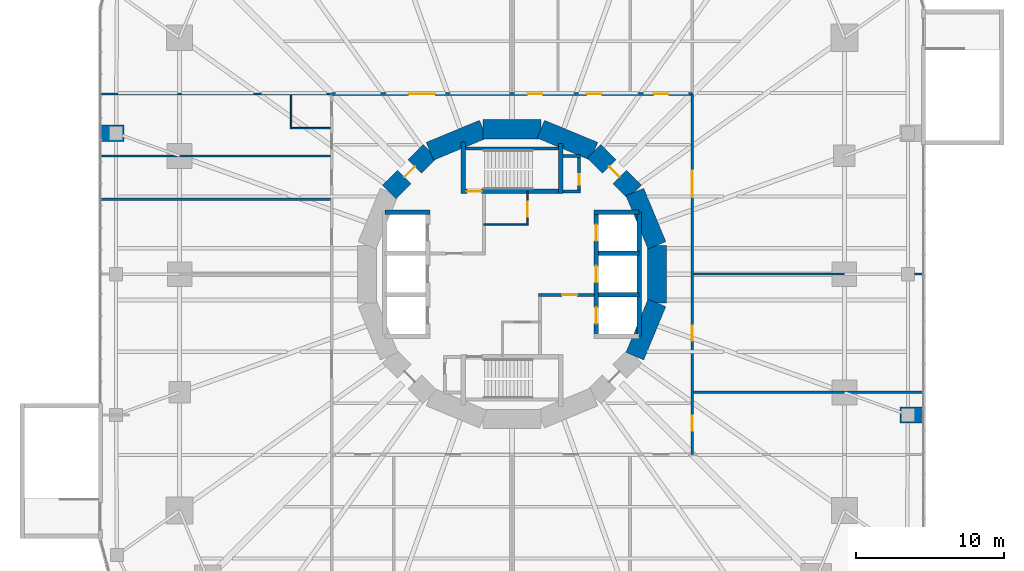
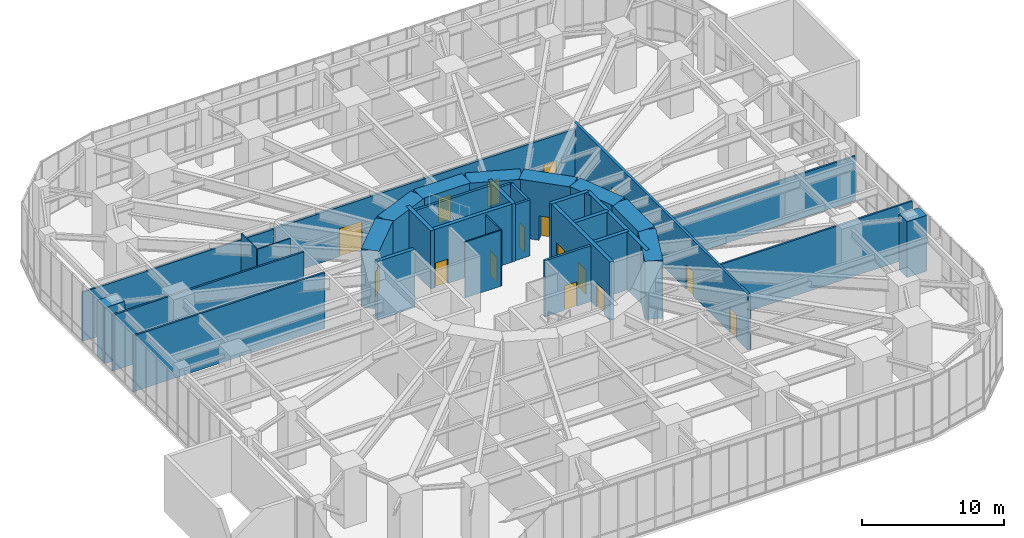
# One storey, part 22 of 24: 35 walls, 16 doors, 16 openings.
"""IFC4 building model written with IfcOpenShell, lengths in metres."""

import ifcopenshell
import ifcopenshell.guid

model = None  # the IFC model being written
_history = None  # IfcOwnerHistory: only IFC2X3 demands one
_inside = {}  # id of a spatial element -> (the spatial element, [elements in it])
_under = {}  # id of a project, library or spatial element -> (it, [spatial elements below it])
_declared = {}  # id of a project -> (the project, [libraries it declares])
_typed = {}  # id of a type object -> (the type object, [elements of that type])
_made_of = {}  # id of a material, layer set ... -> (it, [elements and type objects made of it])


def new_model(schema):
    """Start an empty IFC model of exactly this schema.

    Asked for "IFC4X3", IfcOpenShell would pick the latest addendum, in which some entities
    have other attributes; the version numbers below select the first issue.
    IFC2X3 requires an IfcOwnerHistory on every rooted entity: one is made here for all.
    """
    global model, _history
    if schema == "IFC4X3":
        model = ifcopenshell.file(schema_version=(4, 3, 0, 0))
    else:
        model = ifcopenshell.file(schema=schema)
    _inside.clear()
    _under.clear()
    _declared.clear()
    _typed.clear()
    _made_of.clear()
    _history = None
    if model.schema == "IFC2X3":
        org = make("IfcOrganization", Name="unknown")
        user = make(
            "IfcPersonAndOrganization",
            ThePerson=make("IfcPerson", FamilyName="unknown"),
            TheOrganization=org,
        )
        app = make(
            "IfcApplication",
            ApplicationDeveloper=org,
            Version="unknown",
            ApplicationFullName="unknown",
            ApplicationIdentifier="unknown",
        )
        _history = make(
            "IfcOwnerHistory",
            OwningUser=user,
            OwningApplication=app,
            ChangeAction="ADDED",
            CreationDate=0,
        )
    return model


def make(cls, **values):
    """One entity of the class cls with the attributes given. An attribute that is None is left unset."""
    return model.create_entity(
        cls, **{name: value for name, value in values.items() if value is not None}
    )


def rooted(cls, **values):
    """An entity with a GlobalId (a new one), such as an element, a storey or a relation."""
    return make(cls, GlobalId=ifcopenshell.guid.new(), OwnerHistory=_history, **values)


def si_unit(unit_type, name, prefix=None):
    """IfcSIUnit, for example si_unit("LENGTHUNIT", "METRE", prefix="MILLI")."""
    return make("IfcSIUnit", UnitType=unit_type, Prefix=prefix, Name=name)


def assignment(units):
    """IfcUnitAssignment: the units of a project."""
    return None if units is None else make("IfcUnitAssignment", Units=units)


def point(xyz):
    """IfcCartesianPoint."""
    return None if xyz is None else make("IfcCartesianPoint", Coordinates=xyz)


def direction(xyz):
    """IfcDirection."""
    return None if xyz is None else make("IfcDirection", DirectionRatios=xyz)


def frame(location, z_axis=None, x_axis=None):
    """IfcAxis2Placement3D, a coordinate frame: its origin and axes. An axis left out is left unset."""
    return make(
        "IfcAxis2Placement3D",
        Location=point(location),
        Axis=direction(z_axis),
        RefDirection=direction(x_axis),
    )


def frame_2d(location, x_axis=None):
    """IfcAxis2Placement2D, a coordinate frame in the plane: its origin and x axis."""
    return make(
        "IfcAxis2Placement2D", Location=point(location), RefDirection=direction(x_axis)
    )


def origin():
    """The frame at (0, 0, 0) with its axes left unset."""
    return frame((0.0, 0.0, 0.0))


def place(relative_to, where):
    """IfcLocalPlacement: puts the frame where relative to a parent placement (None: the world)."""
    return make(
        "IfcLocalPlacement", PlacementRelTo=relative_to, RelativePlacement=where
    )


def context(
    kind, dimensions, precision=None, world=None, true_north=None, identifier=None
):
    """IfcGeometricRepresentationContext, for example the 3D "Model" context."""
    return make(
        "IfcGeometricRepresentationContext",
        ContextIdentifier=identifier,
        ContextType=kind,
        CoordinateSpaceDimension=dimensions,
        Precision=precision,
        WorldCoordinateSystem=world,
        TrueNorth=true_north,
    )


def subcontext(parent, identifier, kind, view, scale=None):
    """IfcGeometricRepresentationSubContext, for example "Body" below "Model"."""
    return make(
        "IfcGeometricRepresentationSubContext",
        ContextIdentifier=identifier,
        ContextType=kind,
        ParentContext=parent,
        TargetScale=scale,
        TargetView=view,
    )


def project(units=None, contexts=None):
    """IfcProject with its units and contexts."""
    return rooted(
        "IfcProject",
        Name="project",
        RepresentationContexts=contexts,
        UnitsInContext=assignment(units),
    )


def spatial(cls, under=None, at=None, **own):
    """A site, building, storey or space (cls), placed at a placement, below another one or the project."""
    s = rooted(cls, ObjectPlacement=at, **own)
    if under is not None:
        _under.setdefault(under.id(), (under, []))[1].append(s)
    return s


def profile(cls, at=None, kind="AREA", **sizes):
    """A parametric profile (cls). Its sizes go by their IFC names, for example OverallWidth=200.0."""
    return make(cls, ProfileType=kind, Position=at, **sizes)


def rectangle(**sizes):
    """IfcRectangleProfileDef."""
    return profile("IfcRectangleProfileDef", **sizes)


def extrude(swept, where, along, depth):
    """IfcExtrudedAreaSolid: the profile swept, set in the frame where, extruded along a direction by depth."""
    return make(
        "IfcExtrudedAreaSolid",
        SweptArea=swept,
        Position=where,
        ExtrudedDirection=direction(along),
        Depth=depth,
    )


def shape(context_of_items, identifier, shape_type, items):
    """IfcShapeRepresentation: the items that make up one representation, for example the "Body"."""
    return make(
        "IfcShapeRepresentation",
        ContextOfItems=context_of_items,
        RepresentationIdentifier=identifier,
        RepresentationType=shape_type,
        Items=items,
    )


def material(Name=None, Category=None):
    """IfcMaterial."""
    return make("IfcMaterial", Name=Name, Category=Category)


def layer(
    of_material, thickness, ventilated=None, Name=None, Category=None, Priority=None
):
    """IfcMaterialLayer: one layer of a wall or slab, of a material (None: an air gap)."""
    return make(
        "IfcMaterialLayer",
        Material=of_material,
        LayerThickness=thickness,
        IsVentilated=ventilated,
        Name=Name,
        Category=Category,
        Priority=Priority,
    )


def layer_set(layers, Name=None):
    """IfcMaterialLayerSet."""
    return make("IfcMaterialLayerSet", MaterialLayers=layers, LayerSetName=Name)


def made_of(thing, what):
    """Note that an element or type object is made of a material, layer set ...; save() writes the relation."""
    if what is not None:
        _made_of.setdefault(what.id(), (what, []))[1].append(thing)
    return thing


def type_object(cls, material=None, **own):
    """A type object (cls), such as IfcWallType, which elements share."""
    return made_of(rooted(cls, **own), material)


def element(
    cls,
    number,
    at=None,
    inside=None,
    cuts=None,
    type_object=None,
    material=None,
    context=None,
    identifier="Body",
    shape_type=None,
    held_by="IfcProductDefinitionShape",
    body=None,
    shapes=None,
    **own,
):
    """One element of the class cls, such as IfcWall. Its Tag is "e" and its number.

    at: its placement. inside: the storey or other place that contains it. cuts: it is an
    opening in that element (IfcRelVoidsElement). A single representation is given by context,
    identifier, shape_type and body (its items); several are given by shapes. held_by: the class
    of the entity that holds the representations. save() writes the other relations.
    """
    e = rooted(cls, Tag="e%d" % number, ObjectPlacement=at, **own)
    if body is not None:
        shapes = [shape(context, identifier, shape_type, body)]
    if shapes is not None:
        e.Representation = make(held_by, Representations=shapes)
    if inside is not None:
        _inside.setdefault(inside.id(), (inside, []))[1].append(e)
    if cuts is not None:
        rooted(
            "IfcRelVoidsElement", RelatingBuildingElement=cuts, RelatedOpeningElement=e
        )
    if type_object is not None:
        _typed.setdefault(type_object.id(), (type_object, []))[1].append(e)
    return made_of(e, material)


def fill(opening, filler):
    """IfcRelFillsElement: the door or window that sits in an opening."""
    return rooted(
        "IfcRelFillsElement",
        RelatingOpeningElement=opening,
        RelatedBuildingElement=filler,
    )


def aggregate(whole, parts):
    """IfcRelAggregates: a whole, such as a stair, and the parts it consists of."""
    return rooted("IfcRelAggregates", RelatingObject=whole, RelatedObjects=parts)


def save(model, path):
    """Write the relations noted so far, then the file.

    IfcRelAggregates (storeys below a building ...), IfcRelContainedInSpatialStructure (elements
    in a storey), IfcRelDefinesByType, IfcRelAssociatesMaterial and IfcRelDeclares: one each for
    every whole, place, type object, material and project.
    """
    for whole, parts in _under.values():
        aggregate(whole, parts)
    for where, things in _inside.values():
        rooted(
            "IfcRelContainedInSpatialStructure",
            RelatedElements=things,
            RelatingStructure=where,
        )
    for kind, things in _typed.values():
        rooted("IfcRelDefinesByType", RelatedObjects=things, RelatingType=kind)
    for what, things in _made_of.values():
        rooted("IfcRelAssociatesMaterial", RelatedObjects=things, RelatingMaterial=what)
    for by, libraries in _declared.values():
        rooted("IfcRelDeclares", RelatingContext=by, RelatedDefinitions=libraries)
    model.write(path)


model = new_model("IFC4")

# Units and contexts
model_context = context("Model", 3, precision=1e-05, world=origin(), true_north=direction((0.0, 1.0)))
body_context = subcontext(model_context, "Body", "Model", "MODEL_VIEW")
ifc_project = project(units=[si_unit("LENGTHUNIT", "METRE"), si_unit("AREAUNIT", "SQUARE_METRE"), si_unit("VOLUMEUNIT", "CUBIC_METRE"), si_unit("PLANEANGLEUNIT", "RADIAN"), si_unit("MASSUNIT", "GRAM", prefix="KILO")], contexts=[model_context])

# Site, building, storey
site_placement = place(None, origin())
site = spatial("IfcSite", under=ifc_project, at=site_placement, CompositionType="ELEMENT")
building_placement = place(site_placement, origin())
building = spatial("IfcBuilding", under=site, at=building_placement, Name="Nakasero Lantern House", CompositionType="ELEMENT")
storey_placement = place(building_placement, frame((0.0, 0.0, 11.0)))
storey = spatial("IfcBuildingStorey", under=building, at=storey_placement, Name="L02", CompositionType="ELEMENT", Elevation=11.0)

# Walls
ifc_material_1 = material(Name="Blockwork", Category="masonry")
ifc_layer_1 = layer(ifc_material_1, 1.10009765625)
ifc_layer_set_1 = layer_set([ifc_layer_1], Name="Column pier 1100")
wall_type_1 = type_object("IfcWallType", Name="Column pier 1100", PredefinedType="PARTITIONING", material=ifc_layer_set_1)
for number, where, z_axis, x_axis, name in (
    (1, (26.25, -9.52880859375, 0.0), (0.0, 0.0, 1.0), (1.0, 0.0, 0.0), "Column pier L02 PN0-00-2"),
    (2, (-26.25, 9.52880859375, 0.0), (0.0, 0.0, 1.0), (-1.0, 0.0, 0.0), "Column pier L02 PN2-00-2"),
):
    element("IfcWall", number, at=place(storey_placement, frame(where, z_axis=z_axis, x_axis=x_axis)), inside=storey, type_object=wall_type_1, Name=name, PredefinedType="PARTITIONING", context=body_context, shape_type="SweptSolid", body=[
        extrude(rectangle(XDim=1.60009765625, YDim=1.10009765625, at=frame_2d((0.800048828125, 0.0))), origin(), (0.0, 0.0, 1.0), 4.800048828125),
    ])

# Wall, openings, doors
ifc_material_2 = material(Name="Concrete C50/60", Category="concrete")
ifc_layer_2 = layer(ifc_material_2, 0.300048828125)
ifc_layer_set_2 = layer_set([ifc_layer_2], Name="Core inner wall 300")
wall_type_2 = type_object("IfcWallType", Name="Core inner wall 300", PredefinedType="SHEAR", material=ifc_layer_set_2)
wall_1_placement = place(storey_placement, frame((5.699951171875, -4.199951171875, 0.0), z_axis=(0.0, 0.0, 1.0), x_axis=(0.0, 1.0, 0.0)))
wall_1 = element("IfcWall", 3, at=wall_1_placement, inside=storey, type_object=wall_type_2, Name="Core inner wall L02 LE", PredefinedType="SHEAR", context=body_context, shape_type="SweptSolid", body=[
    extrude(rectangle(XDim=8.39990234375, YDim=0.300048828125, at=frame_2d((4.199951171875, 0.0))), origin(), (0.0, 0.0, 1.0), 5.0),
])
opening_1_placement = place(wall_1_placement, frame((0.85009765625, 0.0, 0.0)))
opening_1 = element("IfcOpeningElement", 4, at=opening_1_placement, cuts=wall_1, Name="Opening LD", PredefinedType="OPENING", context=body_context, shape_type="SweptSolid", body=[
    extrude(rectangle(XDim=1.10009765625, YDim=2.10009765625, at=frame_2d((0.550048828125, 1.050048828125))), frame((0.0, 0.169921875, 0.0), z_axis=(0.0, -1.0, 0.0), x_axis=(1.0, 0.0, 0.0)), (0.0, 0.0, 1.0), 0.340087890625),
])
opening_2_placement = place(wall_1_placement, frame((3.64990234375, 0.0, 0.0)))
opening_2 = element("IfcOpeningElement", 5, at=opening_2_placement, cuts=wall_1, Name="Opening LD", PredefinedType="OPENING", context=body_context, shape_type="SweptSolid", body=[
    extrude(rectangle(XDim=1.10009765625, YDim=2.10009765625, at=frame_2d((0.550048828125, 1.050048828125))), frame((0.0, 0.169921875, 0.0), z_axis=(0.0, -1.0, 0.0), x_axis=(1.0, 0.0, 0.0)), (0.0, 0.0, 1.0), 0.340087890625),
])
opening_3_placement = place(wall_1_placement, frame((6.449951171875, 0.0, 0.0)))
opening_3 = element("IfcOpeningElement", 6, at=opening_3_placement, cuts=wall_1, Name="Opening LD", PredefinedType="OPENING", context=body_context, shape_type="SweptSolid", body=[
    extrude(rectangle(XDim=1.10009765625, YDim=2.10009765625, at=frame_2d((0.550048828125, 1.050048828125))), frame((0.0, 0.169921875, 0.0), z_axis=(0.0, -1.0, 0.0), x_axis=(1.0, 0.0, 0.0)), (0.0, 0.0, 1.0), 0.340087890625),
])
ifc_material_3 = material(Name="Steel S355", Category="steel")
door_type_1 = type_object("IfcDoorType", Name="Lift landing door E120 1100", OperationType="SLIDING_TO_LEFT", PredefinedType="DOOR", material=ifc_material_3)
door_1_placement = place(opening_1_placement, origin())
door_1 = element("IfcDoor", 7, at=door_1_placement, inside=storey, type_object=door_type_1, Name="Lift landing door LE1", OperationType="SLIDING_TO_LEFT", OverallHeight=2.10009765625, OverallWidth=1.10009765625, PredefinedType="DOOR", context=body_context, shape_type="SweptSolid", body=[
    extrude(rectangle(XDim=1.10009765625, YDim=2.10009765625, at=frame_2d((0.550048828125, 1.050048828125))), frame((0.0, 0.02490234375, 0.0), z_axis=(0.0, -1.0, 0.0), x_axis=(1.0, 0.0, 0.0)), (0.0, 0.0, 1.0), 0.050048828125),
])
fill(opening_1, door_1)
door_2_placement = place(opening_2_placement, origin())
door_2 = element("IfcDoor", 8, at=door_2_placement, inside=storey, type_object=door_type_1, Name="Lift landing door LE2", OperationType="SLIDING_TO_LEFT", OverallHeight=2.10009765625, OverallWidth=1.10009765625, PredefinedType="DOOR", context=body_context, shape_type="SweptSolid", body=[
    extrude(rectangle(XDim=1.10009765625, YDim=2.10009765625, at=frame_2d((0.550048828125, 1.050048828125))), frame((0.0, 0.02490234375, 0.0), z_axis=(0.0, -1.0, 0.0), x_axis=(1.0, 0.0, 0.0)), (0.0, 0.0, 1.0), 0.050048828125),
])
fill(opening_2, door_2)
door_3_placement = place(opening_3_placement, origin())
door_3 = element("IfcDoor", 9, at=door_3_placement, inside=storey, type_object=door_type_1, Name="Lift landing door LE3", OperationType="SLIDING_TO_LEFT", OverallHeight=2.10009765625, OverallWidth=1.10009765625, PredefinedType="DOOR", context=body_context, shape_type="SweptSolid", body=[
    extrude(rectangle(XDim=1.10009765625, YDim=2.10009765625, at=frame_2d((0.550048828125, 1.050048828125))), frame((0.0, 0.02490234375, 0.0), z_axis=(0.0, -1.0, 0.0), x_axis=(1.0, 0.0, 0.0)), (0.0, 0.0, 1.0), 0.050048828125),
])
fill(opening_3, door_3)

# Walls
for number, where, z_axis, x_axis, name in (
    (10, (-8.60009765625, 4.199951171875, 0.0), (0.0, 0.0, 1.0), (1.0, 0.0, 0.0), "Core inner wall L02 LWN"),
    (11, (5.550048828125, 4.199951171875, 0.0), (0.0, 0.0, 1.0), (1.0, 0.0, 0.0), "Core inner wall L02 LEN"),
):
    element("IfcWall", number, at=place(storey_placement, frame(where, z_axis=z_axis, x_axis=x_axis)), inside=storey, type_object=wall_type_2, Name=name, PredefinedType="SHEAR", context=body_context, shape_type="SweptSolid", body=[
        extrude(rectangle(XDim=3.050048828125, YDim=0.300048828125, at=frame_2d((1.52490234375, 0.0))), origin(), (0.0, 0.0, 1.0), 5.0),
    ])
wall_2_placement = place(storey_placement, frame((8.60009765625, -4.199951171875, 0.0), z_axis=(0.0, 0.0, 1.0), x_axis=(0.0, 1.0, 0.0)))
element("IfcWall", 12, at=wall_2_placement, inside=storey, type_object=wall_type_2, Name="Core inner wall L02 LEB", PredefinedType="SHEAR", context=body_context, shape_type="SweptSolid", body=[
    extrude(rectangle(XDim=8.39990234375, YDim=0.300048828125, at=frame_2d((4.199951171875, 0.0))), origin(), (0.0, 0.0, 1.0), 5.0),
])
for number, where, z_axis, x_axis, name in (
    (13, (5.85009765625, -1.39990234375, 0.0), (0.0, 0.0, 1.0), (1.0, 0.0, 0.0), "Core inner wall L02 LE1"),
    (14, (5.85009765625, 1.39990234375, 0.0), (0.0, 0.0, 1.0), (1.0, 0.0, 0.0), "Core inner wall L02 LE2"),
):
    element("IfcWall", number, at=place(storey_placement, frame(where, z_axis=z_axis, x_axis=x_axis)), inside=storey, type_object=wall_type_2, Name=name, PredefinedType="SHEAR", context=body_context, shape_type="SweptSolid", body=[
        extrude(rectangle(XDim=2.75, YDim=0.300048828125, at=frame_2d((1.375, 0.0))), origin(), (0.0, 0.0, 1.0), 5.0),
    ])

# Wall, opening, door
wall_3_placement = place(storey_placement, frame((-3.449951171875, 5.60009765625, 0.0), z_axis=(0.0, 0.0, 1.0), x_axis=(1.0, 0.0, 0.0)))
wall_3 = element("IfcWall", 15, at=wall_3_placement, inside=storey, type_object=wall_type_2, Name="Core inner wall L02 SN", PredefinedType="SHEAR", context=body_context, shape_type="SweptSolid", body=[
    extrude(rectangle(XDim=6.89990234375, YDim=0.300048828125, at=frame_2d((3.449951171875, 0.0))), origin(), (0.0, 0.0, 1.0), 5.0),
])
opening_4_placement = place(wall_3_placement, frame((0.39990234375, 0.0, 0.0)))
opening_4 = element("IfcOpeningElement", 16, at=opening_4_placement, cuts=wall_3, Name="Opening D05", PredefinedType="OPENING", context=body_context, shape_type="SweptSolid", body=[
    extrude(rectangle(XDim=1.0, YDim=2.10009765625, at=frame_2d((0.5, 1.050048828125))), frame((0.0, 0.169921875, 0.0), z_axis=(0.0, -1.0, 0.0), x_axis=(1.0, 0.0, 0.0)), (0.0, 0.0, 1.0), 0.340087890625),
])
ifc_material_4 = material(Name="Timber C24", Category="wood")
door_type_2 = type_object("IfcDoorType", Name="Core door FD60S 1000", OperationType="SINGLE_SWING_LEFT", PredefinedType="DOOR", material=ifc_material_4)
door_4_placement = place(opening_4_placement, origin())
door_4 = element("IfcDoor", 17, at=door_4_placement, inside=storey, type_object=door_type_2, Name="Door L02 D-ST1", OperationType="SINGLE_SWING_LEFT", OverallHeight=2.10009765625, OverallWidth=1.0, PredefinedType="DOOR", context=body_context, shape_type="SweptSolid", body=[
    extrude(rectangle(XDim=1.0, YDim=2.10009765625, at=frame_2d((0.5, 1.050048828125))), frame((0.0, 0.02490234375, 0.0), z_axis=(0.0, -1.0, 0.0), x_axis=(1.0, 0.0, 0.0)), (0.0, 0.0, 1.0), 0.050048828125),
])
fill(opening_4, door_4)

# Walls
wall_4_placement = place(storey_placement, frame((-3.300048828125, 5.449951171875, 0.0), z_axis=(0.0, 0.0, 1.0), x_axis=(0.0, 1.0, 0.0)))
element("IfcWall", 18, at=wall_4_placement, inside=storey, type_object=wall_type_2, Name="Core inner wall L02 SNW", PredefinedType="SHEAR", context=body_context, shape_type="SweptSolid", body=[
    extrude(rectangle(XDim=3.5, YDim=0.300048828125, at=frame_2d((1.75, 0.0))), origin(), (0.0, 0.0, 1.0), 5.0),
])
wall_5_placement = place(storey_placement, frame((3.300048828125, 5.449951171875, 0.0), z_axis=(0.0, 0.0, 1.0), x_axis=(0.0, 1.0, 0.0)))
element("IfcWall", 19, at=wall_5_placement, inside=storey, type_object=wall_type_2, Name="Core inner wall L02 SNE", PredefinedType="SHEAR", context=body_context, shape_type="SweptSolid", body=[
    extrude(rectangle(XDim=3.400146484375, YDim=0.300048828125, at=frame_2d((1.7001953125, 0.0))), origin(), (0.0, 0.0, 1.0), 5.0),
])
ifc_material_5 = material(Name="Blockwork", Category="masonry")
ifc_layer_3 = layer(ifc_material_5, 0.10009765625)
ifc_layer_set_3 = layer_set([ifc_layer_3], Name="Core room wall 100")
wall_type_3 = type_object("IfcWallType", Name="Core room wall 100", PredefinedType="PARTITIONING", material=ifc_layer_set_3)
wall_6_placement = place(storey_placement, frame((-1.89990234375, 3.35009765625, 0.0), z_axis=(0.0, 0.0, 1.0), x_axis=(1.0, 0.0, 0.0)))
element("IfcWall", 20, at=wall_6_placement, inside=storey, type_object=wall_type_3, Name="Core room wall L02 CR-NES", PredefinedType="PARTITIONING", context=body_context, shape_type="SweptSolid", body=[
    extrude(rectangle(XDim=3.0, YDim=0.10009765625, at=frame_2d((1.5, 0.0))), origin(), (0.0, 0.0, 1.0), 4.800048828125),
])

# Wall, opening, door
wall_7_placement = place(storey_placement, frame((1.050048828125, 3.300048828125, 0.0), z_axis=(0.0, 0.0, 1.0), x_axis=(0.0, 1.0, 0.0)))
wall_7 = element("IfcWall", 21, at=wall_7_placement, inside=storey, type_object=wall_type_3, Name="Core room wall L02 CR-NEE", PredefinedType="PARTITIONING", context=body_context, shape_type="SweptSolid", body=[
    extrude(rectangle(XDim=2.300048828125, YDim=0.10009765625, at=frame_2d((1.14990234375, 0.0))), origin(), (0.0, 0.0, 1.0), 4.800048828125),
])
opening_5_placement = place(wall_7_placement, frame((0.60009765625, 0.0, 0.0)))
opening_5 = element("IfcOpeningElement", 22, at=opening_5_placement, cuts=wall_7, Name="Opening D13", PredefinedType="OPENING", context=body_context, shape_type="SweptSolid", body=[
    extrude(rectangle(XDim=1.0, YDim=2.10009765625, at=frame_2d((0.5, 1.050048828125))), frame((0.0, 0.070068359375, 0.0), z_axis=(0.0, -1.0, 0.0), x_axis=(1.0, 0.0, 0.0)), (0.0, 0.0, 1.0), 0.14013671875),
])
ifc_material_6 = material(Name="Steel S355", Category="steel")
door_type_3 = type_object("IfcDoorType", Name="Plant room door FD60 1000", OperationType="SINGLE_SWING_LEFT", PredefinedType="DOOR", material=ifc_material_6)
door_5_placement = place(opening_5_placement, origin())
door_5 = element("IfcDoor", 23, at=door_5_placement, inside=storey, type_object=door_type_3, Name="Door L02 D-CR-NE", OperationType="SINGLE_SWING_LEFT", OverallHeight=2.10009765625, OverallWidth=1.0, PredefinedType="DOOR", context=body_context, shape_type="SweptSolid", body=[
    extrude(rectangle(XDim=1.0, YDim=2.10009765625, at=frame_2d((0.5, 1.050048828125))), frame((0.0, 0.02490234375, 0.0), z_axis=(0.0, -1.0, 0.0), x_axis=(1.0, 0.0, 0.0)), (0.0, 0.0, 1.0), 0.050048828125),
])
fill(opening_5, door_5)

# Wall
ifc_material_7 = material(Name="Concrete C50/60", Category="concrete")
ifc_layer_4 = layer(ifc_material_7, 1.300048828125)
ifc_layer_set_4 = layer_set([ifc_layer_4], Name="Core wall 1300")
wall_type_4 = type_object("IfcWallType", Name="Core wall 1300", PredefinedType="SHEAR", material=ifc_layer_set_4)
wall_8_placement = place(storey_placement, frame((9.807861328125, 1.950927734375, 0.0), z_axis=(0.0, 0.0, 1.0), x_axis=(-0.382690736062, 0.923876507187, 0.0)))
element("IfcWall", 24, at=wall_8_placement, inside=storey, type_object=wall_type_4, Name="Core wall L02 facet 1", PredefinedType="SHEAR", context=body_context, shape_type="SweptSolid", body=[
    extrude(rectangle(XDim=3.90185546875, YDim=1.300048828125, at=frame_2d((1.950927734375, 0.0))), origin(), (0.0, 0.0, 1.0), 5.0),
])

# Wall, opening, door
wall_9_placement = place(storey_placement, frame((8.314697265625, 5.5556640625, 0.0), z_axis=(0.0, 0.0, 1.0), x_axis=(-0.707106781187, 0.707106781187, 0.0)))
wall_9 = element("IfcWall", 25, at=wall_9_placement, inside=storey, type_object=wall_type_4, Name="Core wall L02 facet 2", PredefinedType="SHEAR", context=body_context, shape_type="SweptSolid", body=[
    extrude(rectangle(XDim=3.90185546875, YDim=1.300048828125, at=frame_2d((1.950927734375, 0.0))), origin(), (0.0, 0.0, 1.0), 5.0),
])
opening_6_placement = place(wall_9_placement, frame((1.450927734375, 0.0, 0.0)))
opening_6 = element("IfcOpeningElement", 26, at=opening_6_placement, cuts=wall_9, Name="Opening D05", PredefinedType="OPENING", context=body_context, shape_type="SweptSolid", body=[
    extrude(rectangle(XDim=1.0, YDim=2.10009765625, at=frame_2d((0.5, 1.050048828125))), frame((0.0, 0.669921875, 0.0), z_axis=(0.0, -1.0, 0.0), x_axis=(1.0, 0.0, 0.0)), (0.0, 0.0, 1.0), 1.340087890625),
])
door_6_placement = place(opening_6_placement, origin())
door_6 = element("IfcDoor", 27, at=door_6_placement, inside=storey, type_object=door_type_2, Name="Door L02 D-CORE02", OperationType="SINGLE_SWING_LEFT", OverallHeight=2.10009765625, OverallWidth=1.0, PredefinedType="DOOR", context=body_context, shape_type="SweptSolid", body=[
    extrude(rectangle(XDim=1.0, YDim=2.10009765625, at=frame_2d((0.5, 1.050048828125))), frame((0.0, 0.02490234375, 0.0), z_axis=(0.0, -1.0, 0.0), x_axis=(1.0, 0.0, 0.0)), (0.0, 0.0, 1.0), 0.050048828125),
])
fill(opening_6, door_6)

# Walls
for number, where, z_axis, x_axis, name in (
    (28, (5.5556640625, 8.314697265625, 0.0), (0.0, 0.0, 1.0), (-0.923876507187, 0.382690736062, 0.0), "Core wall L02 facet 3"),
    (29, (1.950927734375, 9.807861328125, 0.0), (0.0, 0.0, 1.0), (-1.0, 0.0, 0.0), "Core wall L02 facet 4"),
    (30, (-1.950927734375, 9.807861328125, 0.0), (0.0, 0.0, 1.0), (-0.923876507187, -0.382690736062, 0.0), "Core wall L02 facet 5"),
):
    element("IfcWall", number, at=place(storey_placement, frame(where, z_axis=z_axis, x_axis=x_axis)), inside=storey, type_object=wall_type_4, Name=name, PredefinedType="SHEAR", context=body_context, shape_type="SweptSolid", body=[
        extrude(rectangle(XDim=3.90185546875, YDim=1.300048828125, at=frame_2d((1.950927734375, 0.0))), origin(), (0.0, 0.0, 1.0), 5.0),
    ])

# Wall, opening, door
wall_10_placement = place(storey_placement, frame((-5.5556640625, 8.314697265625, 0.0), z_axis=(0.0, 0.0, 1.0), x_axis=(-0.707106781187, -0.707106781187, 0.0)))
wall_10 = element("IfcWall", 31, at=wall_10_placement, inside=storey, type_object=wall_type_4, Name="Core wall L02 facet 6", PredefinedType="SHEAR", context=body_context, shape_type="SweptSolid", body=[
    extrude(rectangle(XDim=3.90185546875, YDim=1.300048828125, at=frame_2d((1.950927734375, 0.0))), origin(), (0.0, 0.0, 1.0), 5.0),
])
opening_7_placement = place(wall_10_placement, frame((1.450927734375, 0.0, 0.0)))
opening_7 = element("IfcOpeningElement", 32, at=opening_7_placement, cuts=wall_10, Name="Opening D05", PredefinedType="OPENING", context=body_context, shape_type="SweptSolid", body=[
    extrude(rectangle(XDim=1.0, YDim=2.10009765625, at=frame_2d((0.5, 1.050048828125))), frame((0.0, 0.669921875, 0.0), z_axis=(0.0, -1.0, 0.0), x_axis=(1.0, 0.0, 0.0)), (0.0, 0.0, 1.0), 1.340087890625),
])
door_7_placement = place(opening_7_placement, origin())
door_7 = element("IfcDoor", 33, at=door_7_placement, inside=storey, type_object=door_type_2, Name="Door L02 D-CORE06", OperationType="SINGLE_SWING_LEFT", OverallHeight=2.10009765625, OverallWidth=1.0, PredefinedType="DOOR", context=body_context, shape_type="SweptSolid", body=[
    extrude(rectangle(XDim=1.0, YDim=2.10009765625, at=frame_2d((0.5, 1.050048828125))), frame((0.0, 0.02490234375, 0.0), z_axis=(0.0, -1.0, 0.0), x_axis=(1.0, 0.0, 0.0)), (0.0, 0.0, 1.0), 0.050048828125),
])
fill(opening_7, door_7)

# Walls
for number, where, z_axis, x_axis, name in (
    (34, (8.314697265625, -5.5556640625, 0.0), (0.0, 0.0, 1.0), (0.382690736062, 0.923876507187, 0.0), "Core wall L02 facet 15"),
    (35, (9.807861328125, -1.950927734375, 0.0), (0.0, 0.0, 1.0), (0.0, 1.0, 0.0), "Core wall L02 facet 16"),
):
    element("IfcWall", number, at=place(storey_placement, frame(where, z_axis=z_axis, x_axis=x_axis)), inside=storey, type_object=wall_type_4, Name=name, PredefinedType="SHEAR", context=body_context, shape_type="SweptSolid", body=[
        extrude(rectangle(XDim=3.90185546875, YDim=1.300048828125, at=frame_2d((1.950927734375, 0.0))), origin(), (0.0, 0.0, 1.0), 5.0),
    ])

# Wall, openings, doors
ifc_material_8 = material(Name="Blockwork", Category="masonry")
ifc_layer_5 = layer(ifc_material_8, 0.199951171875)
ifc_layer_set_5 = layer_set([ifc_layer_5], Name="Corridor wall 200")
wall_type_5 = type_object("IfcWallType", Name="Corridor wall 200", PredefinedType="PARTITIONING", material=ifc_layer_set_5)
wall_11_placement = place(storey_placement, frame((12.199951171875, -12.199951171875, 0.0), z_axis=(0.0, 0.0, 1.0), x_axis=(0.0, 1.0, 0.0)))
wall_11 = element("IfcWall", 36, at=wall_11_placement, inside=storey, type_object=wall_type_5, Name="Corridor wall L02 CW0", PredefinedType="PARTITIONING", context=body_context, shape_type="SweptSolid", body=[
    extrude(rectangle(XDim=24.39990234375, YDim=0.199951171875, at=frame_2d((12.199951171875, 0.0))), origin(), (0.0, 0.0, 1.0), 4.800048828125),
])
opening_8_placement = place(wall_11_placement, frame((1.60009765625, 0.0, 0.0)))
opening_8 = element("IfcOpeningElement", 37, at=opening_8_placement, cuts=wall_11, Name="Opening D07", PredefinedType="OPENING", context=body_context, shape_type="SweptSolid", body=[
    extrude(rectangle(XDim=1.0, YDim=2.10009765625, at=frame_2d((0.5, 1.050048828125))), frame((0.0, 0.119873046875, 0.0), z_axis=(0.0, -1.0, 0.0), x_axis=(1.0, 0.0, 0.0)), (0.0, 0.0, 1.0), 0.239990234375),
])
opening_9_placement = place(wall_11_placement, frame((7.699951171875, 0.0, 0.0)))
opening_9 = element("IfcOpeningElement", 38, at=opening_9_placement, cuts=wall_11, Name="Opening D07", PredefinedType="OPENING", context=body_context, shape_type="SweptSolid", body=[
    extrude(rectangle(XDim=1.0, YDim=2.10009765625, at=frame_2d((0.5, 1.050048828125))), frame((0.0, 0.119873046875, 0.0), z_axis=(0.0, -1.0, 0.0), x_axis=(1.0, 0.0, 0.0)), (0.0, 0.0, 1.0), 0.239990234375),
])
opening_10_placement = place(wall_11_placement, frame((17.39990234375, 0.0, 0.0)))
opening_10 = element("IfcOpeningElement", 39, at=opening_10_placement, cuts=wall_11, Name="Opening D12", PredefinedType="OPENING", context=body_context, shape_type="SweptSolid", body=[
    extrude(rectangle(XDim=1.800048828125, YDim=2.39990234375, at=frame_2d((0.89990234375, 1.199951171875))), frame((0.0, 0.119873046875, 0.0), z_axis=(0.0, -1.0, 0.0), x_axis=(1.0, 0.0, 0.0)), (0.0, 0.0, 1.0), 0.239990234375),
])
ifc_material_9 = material(Name="Timber C24", Category="wood")
door_type_4 = type_object("IfcDoorType", Name="Room door FD30S 1000", OperationType="SINGLE_SWING_LEFT", PredefinedType="DOOR", material=ifc_material_9)
door_8_placement = place(opening_8_placement, origin())
door_8 = element("IfcDoor", 40, at=door_8_placement, inside=storey, type_object=door_type_4, Name="Door L02 D0-00", OperationType="SINGLE_SWING_LEFT", OverallHeight=2.10009765625, OverallWidth=1.0, PredefinedType="DOOR", context=body_context, shape_type="SweptSolid", body=[
    extrude(rectangle(XDim=1.0, YDim=2.10009765625, at=frame_2d((0.5, 1.050048828125))), frame((0.0, 0.02490234375, 0.0), z_axis=(0.0, -1.0, 0.0), x_axis=(1.0, 0.0, 0.0)), (0.0, 0.0, 1.0), 0.050048828125),
])
fill(opening_8, door_8)
door_9_placement = place(opening_9_placement, origin())
door_9 = element("IfcDoor", 41, at=door_9_placement, inside=storey, type_object=door_type_4, Name="Door L02 D0-01", OperationType="SINGLE_SWING_LEFT", OverallHeight=2.10009765625, OverallWidth=1.0, PredefinedType="DOOR", context=body_context, shape_type="SweptSolid", body=[
    extrude(rectangle(XDim=1.0, YDim=2.10009765625, at=frame_2d((0.5, 1.050048828125))), frame((0.0, 0.02490234375, 0.0), z_axis=(0.0, -1.0, 0.0), x_axis=(1.0, 0.0, 0.0)), (0.0, 0.0, 1.0), 0.050048828125),
])
fill(opening_9, door_9)
ifc_material_10 = material(Name="Timber C24", Category="wood")
door_type_5 = type_object("IfcDoorType", Name="Room doors FD30S 1800", OperationType="DOUBLE_DOOR_SINGLE_SWING", PredefinedType="DOOR", material=ifc_material_10)
door_10_placement = place(opening_10_placement, origin())
door_10 = element("IfcDoor", 42, at=door_10_placement, inside=storey, type_object=door_type_5, Name="Door L02 D0-02", OperationType="DOUBLE_DOOR_SINGLE_SWING", OverallHeight=2.39990234375, OverallWidth=1.800048828125, PredefinedType="DOOR", context=body_context, shape_type="SweptSolid", body=[
    extrude(rectangle(XDim=1.800048828125, YDim=2.39990234375, at=frame_2d((0.89990234375, 1.199951171875))), frame((0.0, 0.02490234375, 0.0), z_axis=(0.0, -1.0, 0.0), x_axis=(1.0, 0.0, 0.0)), (0.0, 0.0, 1.0), 0.050048828125),
])
fill(opening_10, door_10)

wall_12_placement = place(storey_placement, frame((12.199951171875, 12.199951171875, 0.0), z_axis=(0.0, 0.0, 1.0), x_axis=(-1.0, 0.0, 0.0)))
wall_12 = element("IfcWall", 43, at=wall_12_placement, inside=storey, type_object=wall_type_5, Name="Corridor wall L02 CW1", PredefinedType="PARTITIONING", context=body_context, shape_type="SweptSolid", body=[
    extrude(rectangle(XDim=24.39990234375, YDim=0.199951171875, at=frame_2d((12.199951171875, 0.0))), origin(), (0.0, 0.0, 1.0), 4.271728515625),
])
opening_11_placement = place(wall_12_placement, frame((1.60009765625, 0.0, 0.0)))
opening_11 = element("IfcOpeningElement", 44, at=opening_11_placement, cuts=wall_12, Name="Opening D07", PredefinedType="OPENING", context=body_context, shape_type="SweptSolid", body=[
    extrude(rectangle(XDim=1.0, YDim=2.10009765625, at=frame_2d((0.5, 1.050048828125))), frame((0.0, 0.119873046875, 0.0), z_axis=(0.0, -1.0, 0.0), x_axis=(1.0, 0.0, 0.0)), (0.0, 0.0, 1.0), 0.239990234375),
])
opening_12_placement = place(wall_12_placement, frame((6.139892578125, 0.0, 0.0)))
opening_12 = element("IfcOpeningElement", 45, at=opening_12_placement, cuts=wall_12, Name="Opening D07", PredefinedType="OPENING", context=body_context, shape_type="SweptSolid", body=[
    extrude(rectangle(XDim=1.0, YDim=2.10009765625, at=frame_2d((0.5, 1.050048828125))), frame((0.0, 0.119873046875, 0.0), z_axis=(0.0, -1.0, 0.0), x_axis=(1.0, 0.0, 0.0)), (0.0, 0.0, 1.0), 0.239990234375),
])
opening_13_placement = place(wall_12_placement, frame((10.139892578125, 0.0, 0.0)))
opening_13 = element("IfcOpeningElement", 46, at=opening_13_placement, cuts=wall_12, Name="Opening D07", PredefinedType="OPENING", context=body_context, shape_type="SweptSolid", body=[
    extrude(rectangle(XDim=1.0, YDim=2.10009765625, at=frame_2d((0.5, 1.050048828125))), frame((0.0, 0.119873046875, 0.0), z_axis=(0.0, -1.0, 0.0), x_axis=(1.0, 0.0, 0.0)), (0.0, 0.0, 1.0), 0.239990234375),
])
opening_14_placement = place(wall_12_placement, frame((17.39990234375, 0.0, 0.0)))
opening_14 = element("IfcOpeningElement", 47, at=opening_14_placement, cuts=wall_12, Name="Opening D12", PredefinedType="OPENING", context=body_context, shape_type="SweptSolid", body=[
    extrude(rectangle(XDim=1.800048828125, YDim=2.39990234375, at=frame_2d((0.89990234375, 1.199951171875))), frame((0.0, 0.119873046875, 0.0), z_axis=(0.0, -1.0, 0.0), x_axis=(1.0, 0.0, 0.0)), (0.0, 0.0, 1.0), 0.239990234375),
])
door_11_placement = place(opening_11_placement, origin())
door_11 = element("IfcDoor", 48, at=door_11_placement, inside=storey, type_object=door_type_4, Name="Door L02 D1-00", OperationType="SINGLE_SWING_LEFT", OverallHeight=2.10009765625, OverallWidth=1.0, PredefinedType="DOOR", context=body_context, shape_type="SweptSolid", body=[
    extrude(rectangle(XDim=1.0, YDim=2.10009765625, at=frame_2d((0.5, 1.050048828125))), frame((0.0, 0.02490234375, 0.0), z_axis=(0.0, -1.0, 0.0), x_axis=(1.0, 0.0, 0.0)), (0.0, 0.0, 1.0), 0.050048828125),
])
fill(opening_11, door_11)
door_12_placement = place(opening_12_placement, origin())
door_12 = element("IfcDoor", 49, at=door_12_placement, inside=storey, type_object=door_type_4, Name="Door L02 D1-01", OperationType="SINGLE_SWING_LEFT", OverallHeight=2.10009765625, OverallWidth=1.0, PredefinedType="DOOR", context=body_context, shape_type="SweptSolid", body=[
    extrude(rectangle(XDim=1.0, YDim=2.10009765625, at=frame_2d((0.5, 1.050048828125))), frame((0.0, 0.02490234375, 0.0), z_axis=(0.0, -1.0, 0.0), x_axis=(1.0, 0.0, 0.0)), (0.0, 0.0, 1.0), 0.050048828125),
])
fill(opening_12, door_12)
door_13_placement = place(opening_13_placement, origin())
door_13 = element("IfcDoor", 50, at=door_13_placement, inside=storey, type_object=door_type_4, Name="Door L02 D1-02", OperationType="SINGLE_SWING_LEFT", OverallHeight=2.10009765625, OverallWidth=1.0, PredefinedType="DOOR", context=body_context, shape_type="SweptSolid", body=[
    extrude(rectangle(XDim=1.0, YDim=2.10009765625, at=frame_2d((0.5, 1.050048828125))), frame((0.0, 0.02490234375, 0.0), z_axis=(0.0, -1.0, 0.0), x_axis=(1.0, 0.0, 0.0)), (0.0, 0.0, 1.0), 0.050048828125),
])
fill(opening_13, door_13)
door_14_placement = place(opening_14_placement, origin())
door_14 = element("IfcDoor", 51, at=door_14_placement, inside=storey, type_object=door_type_5, Name="Door L02 D1-03", OperationType="DOUBLE_DOOR_SINGLE_SWING", OverallHeight=2.39990234375, OverallWidth=1.800048828125, PredefinedType="DOOR", context=body_context, shape_type="SweptSolid", body=[
    extrude(rectangle(XDim=1.800048828125, YDim=2.39990234375, at=frame_2d((0.89990234375, 1.199951171875))), frame((0.0, 0.02490234375, 0.0), z_axis=(0.0, -1.0, 0.0), x_axis=(1.0, 0.0, 0.0)), (0.0, 0.0, 1.0), 0.050048828125),
])
fill(opening_14, door_14)

# Walls
ifc_material_11 = material(Name="Blockwork", Category="masonry")
ifc_layer_6 = layer(ifc_material_11, 0.10009765625)
ifc_layer_set_6 = layer_set([ifc_layer_6], Name="En-suite wall 100")
wall_type_6 = type_object("IfcWallType", Name="En-suite wall 100", PredefinedType="PARTITIONING", material=ifc_layer_set_6)
wall_13_placement = place(storey_placement, frame((-12.300048828125, 9.875, 0.0), z_axis=(0.0, 0.0, 1.0), x_axis=(-1.0, 0.0, 0.0)))
element("IfcWall", 52, at=wall_13_placement, inside=storey, type_object=wall_type_6, Name="En-suite wall L02 PA2-00", PredefinedType="PARTITIONING", context=body_context, shape_type="SweptSolid", body=[
    extrude(rectangle(XDim=2.699951171875, YDim=0.10009765625, at=frame_2d((1.35009765625, 0.0))), origin(), (0.0, 0.0, 1.0), 4.800048828125),
])
wall_14_placement = place(storey_placement, frame((-14.949951171875, 12.125, 0.0), z_axis=(0.0, 0.0, 1.0), x_axis=(0.0, -1.0, 0.0)))
element("IfcWall", 53, at=wall_14_placement, inside=storey, type_object=wall_type_6, Name="En-suite wall L02 PB2-00", PredefinedType="PARTITIONING", context=body_context, shape_type="SweptSolid", body=[
    extrude(rectangle(XDim=2.300048828125, YDim=0.10009765625, at=frame_2d((1.14990234375, 0.0))), origin(), (0.0, 0.0, 1.0), 4.800048828125),
])

# Wall, opening, door
ifc_material_12 = material(Name="Blockwork", Category="masonry")
ifc_layer_7 = layer(ifc_material_12, 0.199951171875)
ifc_layer_set_7 = layer_set([ifc_layer_7], Name="Fire lobby wall 200")
wall_type_7 = type_object("IfcWallType", Name="Fire lobby wall 200", PredefinedType="PARTITIONING", material=ifc_layer_set_7)
wall_15_placement = place(storey_placement, frame((5.60009765625, -1.39990234375, 0.0), z_axis=(0.0, 0.0, 1.0), x_axis=(-1.0, 0.0, 0.0)))
wall_15 = element("IfcWall", 54, at=wall_15_placement, inside=storey, type_object=wall_type_7, Name="Fire lobby wall L02 W-FL2N", PredefinedType="PARTITIONING", context=body_context, shape_type="SweptSolid", body=[
    extrude(rectangle(XDim=3.800048828125, YDim=0.199951171875, at=frame_2d((1.89990234375, 0.0))), origin(), (0.0, 0.0, 1.0), 4.800048828125),
])
opening_15_placement = place(wall_15_placement, frame((1.199951171875, 0.0, 0.0)))
opening_15 = element("IfcOpeningElement", 55, at=opening_15_placement, cuts=wall_15, Name="Opening D05", PredefinedType="OPENING", context=body_context, shape_type="SweptSolid", body=[
    extrude(rectangle(XDim=1.0, YDim=2.10009765625, at=frame_2d((0.5, 1.050048828125))), frame((0.0, 0.119873046875, 0.0), z_axis=(0.0, -1.0, 0.0), x_axis=(1.0, 0.0, 0.0)), (0.0, 0.0, 1.0), 0.239990234375),
])
door_15_placement = place(opening_15_placement, origin())
door_15 = element("IfcDoor", 56, at=door_15_placement, inside=storey, type_object=door_type_2, Name="Door L02 D-FL2", OperationType="SINGLE_SWING_LEFT", OverallHeight=2.10009765625, OverallWidth=1.0, PredefinedType="DOOR", context=body_context, shape_type="SweptSolid", body=[
    extrude(rectangle(XDim=1.0, YDim=2.10009765625, at=frame_2d((0.5, 1.050048828125))), frame((0.0, 0.02490234375, 0.0), z_axis=(0.0, -1.0, 0.0), x_axis=(1.0, 0.0, 0.0)), (0.0, 0.0, 1.0), 0.050048828125),
])
fill(opening_15, door_15)

wall_16_placement = place(storey_placement, frame((4.550048828125, 5.60009765625, 0.0), z_axis=(0.0, 0.0, 1.0), x_axis=(0.0, 1.0, 0.0)))
wall_16 = element("IfcWall", 57, at=wall_16_placement, inside=storey, type_object=wall_type_7, Name="Fire lobby wall L02 W-RS1E", PredefinedType="PARTITIONING", context=body_context, shape_type="SweptSolid", body=[
    extrude(rectangle(XDim=2.39990234375, YDim=0.199951171875, at=frame_2d((1.199951171875, 0.0))), origin(), (0.0, 0.0, 1.0), 4.800048828125),
])
opening_16_placement = place(wall_16_placement, frame((0.449951171875, 0.0, 0.0)))
opening_16 = element("IfcOpeningElement", 58, at=opening_16_placement, cuts=wall_16, Name="Opening D06", PredefinedType="OPENING", context=body_context, shape_type="SweptSolid", body=[
    extrude(rectangle(XDim=0.699951171875, YDim=2.10009765625, at=frame_2d((0.35009765625, 1.050048828125))), frame((0.0, 0.119873046875, 0.0), z_axis=(0.0, -1.0, 0.0), x_axis=(1.0, 0.0, 0.0)), (0.0, 0.0, 1.0), 0.239990234375),
])
ifc_material_13 = material(Name="Steel S355", Category="steel")
door_type_6 = type_object("IfcDoorType", Name="Riser door FD60 700", OperationType="SINGLE_SWING_LEFT", PredefinedType="DOOR", material=ifc_material_13)
door_16_placement = place(opening_16_placement, origin())
door_16 = element("IfcDoor", 59, at=door_16_placement, inside=storey, type_object=door_type_6, Name="Door L02 D-RS1", OperationType="SINGLE_SWING_LEFT", OverallHeight=2.10009765625, OverallWidth=0.699951171875, PredefinedType="DOOR", context=body_context, shape_type="SweptSolid", body=[
    extrude(rectangle(XDim=0.699951171875, YDim=2.10009765625, at=frame_2d((0.35009765625, 1.050048828125))), frame((0.0, 0.02490234375, 0.0), z_axis=(0.0, -1.0, 0.0), x_axis=(1.0, 0.0, 0.0)), (0.0, 0.0, 1.0), 0.050048828125),
])
fill(opening_16, door_16)

# Walls
for number, where, z_axis, x_axis, name in (
    (60, (3.449951171875, 8.0, 0.0), (0.0, 0.0, 1.0), (1.0, 0.0, 0.0), "Fire lobby wall L02 W-RS1N"),
    (61, (3.449951171875, 5.60009765625, 0.0), (0.0, 0.0, 1.0), (1.0, 0.0, 0.0), "Fire lobby wall L02 W-RS1S"),
):
    element("IfcWall", number, at=place(storey_placement, frame(where, z_axis=z_axis, x_axis=x_axis)), inside=storey, type_object=wall_type_7, Name=name, PredefinedType="PARTITIONING", context=body_context, shape_type="SweptSolid", body=[
        extrude(rectangle(XDim=1.199951171875, YDim=0.199951171875, at=frame_2d((0.60009765625, 0.0))), origin(), (0.0, 0.0, 1.0), 4.800048828125),
    ])
wall_17_placement = place(storey_placement, frame((-3.300048828125, 8.5, 0.0), z_axis=(0.0, 0.0, 1.0), x_axis=(1.0, 0.0, 0.0)))
element("IfcWall", 62, at=wall_17_placement, inside=storey, type_object=wall_type_7, Name="Fire lobby wall L02 W-STN", PredefinedType="PARTITIONING", context=body_context, shape_type="SweptSolid", body=[
    extrude(rectangle(XDim=6.60009765625, YDim=0.199951171875, at=frame_2d((3.300048828125, 0.0))), origin(), (0.0, 0.0, 1.0), 4.800048828125),
])
ifc_material_14 = material(Name="Blockwork", Category="masonry")
ifc_layer_8 = layer(ifc_material_14, 0.14990234375)
ifc_layer_set_8 = layer_set([ifc_layer_8], Name="Party wall 150")
wall_type_8 = type_object("IfcWallType", Name="Party wall 150", PredefinedType="PARTITIONING", material=ifc_layer_set_8)
wall_18_placement = place(storey_placement, frame((12.300048828125, -8.0, 0.0), z_axis=(0.0, 0.0, 1.0), x_axis=(1.0, 0.0, 0.0)))
element("IfcWall", 63, at=wall_18_placement, inside=storey, type_object=wall_type_8, Name="Party wall L02 PW0-01", PredefinedType="PARTITIONING", context=body_context, shape_type="SweptSolid", body=[
    extrude(rectangle(XDim=15.550048828125, YDim=0.14990234375, at=frame_2d((7.77490234375, 0.0))), origin(), (0.0, 0.0, 1.0), 4.800048828125),
])
wall_19_placement = place(storey_placement, frame((12.300048828125, 0.0, 0.0), z_axis=(0.0, 0.0, 1.0), x_axis=(1.0, 0.0, 0.0)))
element("IfcWall", 64, at=wall_19_placement, inside=storey, type_object=wall_type_8, Name="Party wall L02 PW0-02", PredefinedType="PARTITIONING", context=body_context, shape_type="SweptSolid", body=[
    extrude(rectangle(XDim=15.550048828125, YDim=0.14990234375, at=frame_2d((7.77490234375, 0.0))), origin(), (0.0, 0.0, 1.0), 3.82958984375),
])
wall_20_placement = place(storey_placement, frame((-12.300048828125, 12.199951171875, 0.0), z_axis=(0.0, 0.0, 1.0), x_axis=(-1.0, 0.0, 0.0)))
element("IfcWall", 65, at=wall_20_placement, inside=storey, type_object=wall_type_8, Name="Party wall L02 PW2-00", PredefinedType="PARTITIONING", context=body_context, shape_type="SweptSolid", body=[
    extrude(rectangle(XDim=15.550048828125, YDim=0.14990234375, at=frame_2d((7.77490234375, 0.0))), origin(), (0.0, 0.0, 1.0), 4.2216796875),
])
for number, where, z_axis, x_axis, name in (
    (66, (-12.300048828125, 8.0, 0.0), (0.0, 0.0, 1.0), (-1.0, 0.0, 0.0), "Party wall L02 PW2-01"),
    (67, (-12.300048828125, 5.072021484375, 0.0), (0.0, 0.0, 1.0), (-1.0, 0.0, 0.0), "Party wall L02 PW2-02"),
):
    element("IfcWall", number, at=place(storey_placement, frame(where, z_axis=z_axis, x_axis=x_axis)), inside=storey, type_object=wall_type_8, Name=name, PredefinedType="PARTITIONING", context=body_context, shape_type="SweptSolid", body=[
        extrude(rectangle(XDim=15.550048828125, YDim=0.14990234375, at=frame_2d((7.77490234375, 0.0))), origin(), (0.0, 0.0, 1.0), 4.800048828125),
    ])

save(model, "model.ifc")
